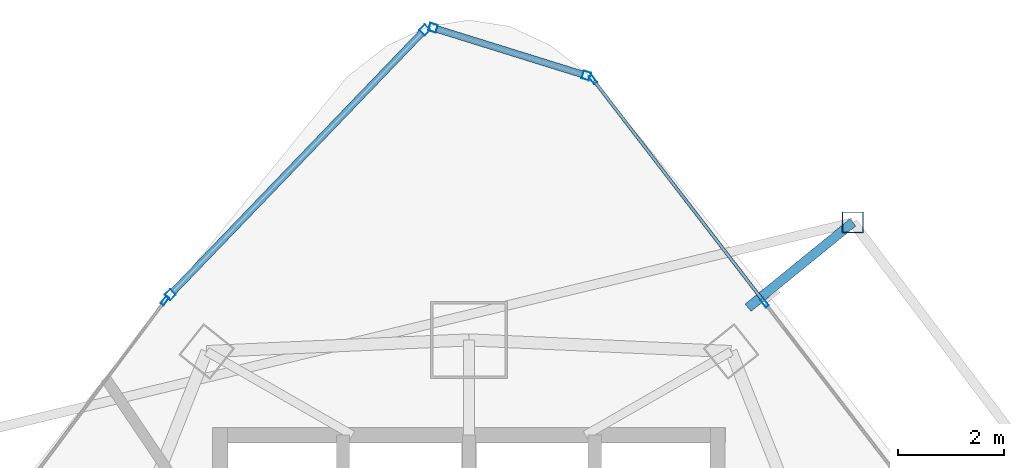
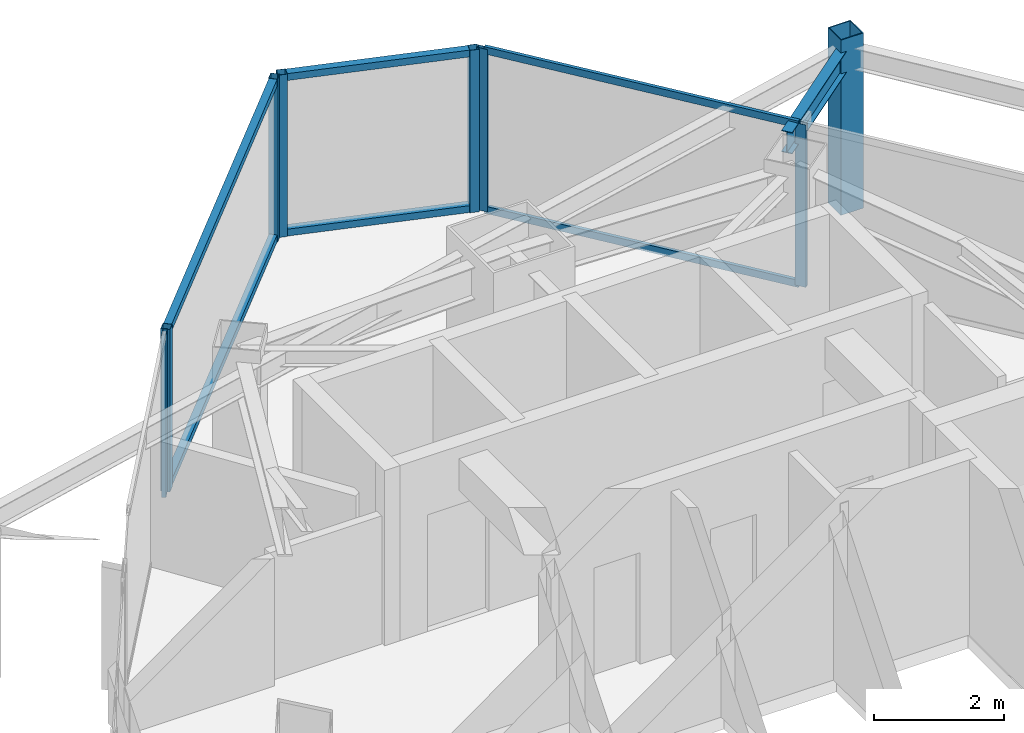
# One storey, part 23 of 30: 14 members, 1 beam, 4 elements without a shape of their own.
"""IFC4 building model written with IfcOpenShell, lengths in metres."""

import ifcopenshell
import ifcopenshell.guid

model = None  # the IFC model being written
_history = None  # IfcOwnerHistory: only IFC2X3 demands one
_inside = {}  # id of a spatial element -> (the spatial element, [elements in it])
_under = {}  # id of a project, library or spatial element -> (it, [spatial elements below it])
_declared = {}  # id of a project -> (the project, [libraries it declares])
_typed = {}  # id of a type object -> (the type object, [elements of that type])
_made_of = {}  # id of a material, layer set ... -> (it, [elements and type objects made of it])


def new_model(schema):
    """Start an empty IFC model of exactly this schema.

    Asked for "IFC4X3", IfcOpenShell would pick the latest addendum, in which some entities
    have other attributes; the version numbers below select the first issue.
    IFC2X3 requires an IfcOwnerHistory on every rooted entity: one is made here for all.
    """
    global model, _history
    if schema == "IFC4X3":
        model = ifcopenshell.file(schema_version=(4, 3, 0, 0))
    else:
        model = ifcopenshell.file(schema=schema)
    _inside.clear()
    _under.clear()
    _declared.clear()
    _typed.clear()
    _made_of.clear()
    _history = None
    if model.schema == "IFC2X3":
        org = make("IfcOrganization", Name="unknown")
        user = make(
            "IfcPersonAndOrganization",
            ThePerson=make("IfcPerson", FamilyName="unknown"),
            TheOrganization=org,
        )
        app = make(
            "IfcApplication",
            ApplicationDeveloper=org,
            Version="unknown",
            ApplicationFullName="unknown",
            ApplicationIdentifier="unknown",
        )
        _history = make(
            "IfcOwnerHistory",
            OwningUser=user,
            OwningApplication=app,
            ChangeAction="ADDED",
            CreationDate=0,
        )
    return model


def make(cls, **values):
    """One entity of the class cls with the attributes given. An attribute that is None is left unset."""
    return model.create_entity(
        cls, **{name: value for name, value in values.items() if value is not None}
    )


def rooted(cls, **values):
    """An entity with a GlobalId (a new one), such as an element, a storey or a relation."""
    return make(cls, GlobalId=ifcopenshell.guid.new(), OwnerHistory=_history, **values)


def si_unit(unit_type, name, prefix=None):
    """IfcSIUnit, for example si_unit("LENGTHUNIT", "METRE", prefix="MILLI")."""
    return make("IfcSIUnit", UnitType=unit_type, Prefix=prefix, Name=name)


def assignment(units):
    """IfcUnitAssignment: the units of a project."""
    return None if units is None else make("IfcUnitAssignment", Units=units)


def point(xyz):
    """IfcCartesianPoint."""
    return None if xyz is None else make("IfcCartesianPoint", Coordinates=xyz)


def direction(xyz):
    """IfcDirection."""
    return None if xyz is None else make("IfcDirection", DirectionRatios=xyz)


def frame(location, z_axis=None, x_axis=None):
    """IfcAxis2Placement3D, a coordinate frame: its origin and axes. An axis left out is left unset."""
    return make(
        "IfcAxis2Placement3D",
        Location=point(location),
        Axis=direction(z_axis),
        RefDirection=direction(x_axis),
    )


def frame_2d(location, x_axis=None):
    """IfcAxis2Placement2D, a coordinate frame in the plane: its origin and x axis."""
    return make(
        "IfcAxis2Placement2D", Location=point(location), RefDirection=direction(x_axis)
    )


def origin():
    """The frame at (0, 0, 0) with its axes left unset."""
    return frame((0.0, 0.0, 0.0))


def origin_2d():
    """The frame at (0, 0) in the plane with its x axis left unset."""
    return frame_2d((0.0, 0.0))


def place(relative_to, where):
    """IfcLocalPlacement: puts the frame where relative to a parent placement (None: the world)."""
    return make(
        "IfcLocalPlacement", PlacementRelTo=relative_to, RelativePlacement=where
    )


def context(
    kind, dimensions, precision=None, world=None, true_north=None, identifier=None
):
    """IfcGeometricRepresentationContext, for example the 3D "Model" context."""
    return make(
        "IfcGeometricRepresentationContext",
        ContextIdentifier=identifier,
        ContextType=kind,
        CoordinateSpaceDimension=dimensions,
        Precision=precision,
        WorldCoordinateSystem=world,
        TrueNorth=true_north,
    )


def subcontext(parent, identifier, kind, view, scale=None):
    """IfcGeometricRepresentationSubContext, for example "Body" below "Model"."""
    return make(
        "IfcGeometricRepresentationSubContext",
        ContextIdentifier=identifier,
        ContextType=kind,
        ParentContext=parent,
        TargetScale=scale,
        TargetView=view,
    )


def project(units=None, contexts=None):
    """IfcProject with its units and contexts."""
    return rooted(
        "IfcProject",
        Name="project",
        RepresentationContexts=contexts,
        UnitsInContext=assignment(units),
    )


def spatial(cls, under=None, at=None, **own):
    """A site, building, storey or space (cls), placed at a placement, below another one or the project."""
    s = rooted(cls, ObjectPlacement=at, **own)
    if under is not None:
        _under.setdefault(under.id(), (under, []))[1].append(s)
    return s


def profile(cls, at=None, kind="AREA", **sizes):
    """A parametric profile (cls). Its sizes go by their IFC names, for example OverallWidth=200.0."""
    return make(cls, ProfileType=kind, Position=at, **sizes)


def hollow_rectangle(**sizes):
    """IfcRectangleHollowProfileDef."""
    return profile("IfcRectangleHollowProfileDef", **sizes)


def i_section(**sizes):
    """IfcIShapeProfileDef."""
    return profile("IfcIShapeProfileDef", **sizes)


def extrude(swept, where, along, depth):
    """IfcExtrudedAreaSolid: the profile swept, set in the frame where, extruded along a direction by depth."""
    return make(
        "IfcExtrudedAreaSolid",
        SweptArea=swept,
        Position=where,
        ExtrudedDirection=direction(along),
        Depth=depth,
    )


def shape(context_of_items, identifier, shape_type, items):
    """IfcShapeRepresentation: the items that make up one representation, for example the "Body"."""
    return make(
        "IfcShapeRepresentation",
        ContextOfItems=context_of_items,
        RepresentationIdentifier=identifier,
        RepresentationType=shape_type,
        Items=items,
    )


def material(Name=None, Category=None):
    """IfcMaterial."""
    return make("IfcMaterial", Name=Name, Category=Category)


def layer(
    of_material, thickness, ventilated=None, Name=None, Category=None, Priority=None
):
    """IfcMaterialLayer: one layer of a wall or slab, of a material (None: an air gap)."""
    return make(
        "IfcMaterialLayer",
        Material=of_material,
        LayerThickness=thickness,
        IsVentilated=ventilated,
        Name=Name,
        Category=Category,
        Priority=Priority,
    )


def layer_set(layers, Name=None):
    """IfcMaterialLayerSet."""
    return make("IfcMaterialLayerSet", MaterialLayers=layers, LayerSetName=Name)


def material_profile(
    of_material, cross_section, Name=None, Category=None, Priority=None
):
    """IfcMaterialProfile: a cross section and its material."""
    return make(
        "IfcMaterialProfile",
        Name=Name,
        Material=of_material,
        Profile=cross_section,
        Priority=Priority,
        Category=Category,
    )


def profile_set(profiles, Name=None, composite=None):
    """IfcMaterialProfileSet."""
    return make(
        "IfcMaterialProfileSet",
        Name=Name,
        MaterialProfiles=profiles,
        CompositeProfile=composite,
    )


def made_of(thing, what):
    """Note that an element or type object is made of a material, layer set ...; save() writes the relation."""
    if what is not None:
        _made_of.setdefault(what.id(), (what, []))[1].append(thing)
    return thing


def type_object(cls, material=None, **own):
    """A type object (cls), such as IfcWallType, which elements share."""
    return made_of(rooted(cls, **own), material)


def element(
    cls,
    number,
    at=None,
    inside=None,
    cuts=None,
    type_object=None,
    material=None,
    context=None,
    identifier="Body",
    shape_type=None,
    held_by="IfcProductDefinitionShape",
    body=None,
    shapes=None,
    **own,
):
    """One element of the class cls, such as IfcWall. Its Tag is "e" and its number.

    at: its placement. inside: the storey or other place that contains it. cuts: it is an
    opening in that element (IfcRelVoidsElement). A single representation is given by context,
    identifier, shape_type and body (its items); several are given by shapes. held_by: the class
    of the entity that holds the representations. save() writes the other relations.
    """
    e = rooted(cls, Tag="e%d" % number, ObjectPlacement=at, **own)
    if body is not None:
        shapes = [shape(context, identifier, shape_type, body)]
    if shapes is not None:
        e.Representation = make(held_by, Representations=shapes)
    if inside is not None:
        _inside.setdefault(inside.id(), (inside, []))[1].append(e)
    if cuts is not None:
        rooted(
            "IfcRelVoidsElement", RelatingBuildingElement=cuts, RelatedOpeningElement=e
        )
    if type_object is not None:
        _typed.setdefault(type_object.id(), (type_object, []))[1].append(e)
    return made_of(e, material)


def aggregate(whole, parts):
    """IfcRelAggregates: a whole, such as a stair, and the parts it consists of."""
    return rooted("IfcRelAggregates", RelatingObject=whole, RelatedObjects=parts)


def save(model, path):
    """Write the relations noted so far, then the file.

    IfcRelAggregates (storeys below a building ...), IfcRelContainedInSpatialStructure (elements
    in a storey), IfcRelDefinesByType, IfcRelAssociatesMaterial and IfcRelDeclares: one each for
    every whole, place, type object, material and project.
    """
    for whole, parts in _under.values():
        aggregate(whole, parts)
    for where, things in _inside.values():
        rooted(
            "IfcRelContainedInSpatialStructure",
            RelatedElements=things,
            RelatingStructure=where,
        )
    for kind, things in _typed.values():
        rooted("IfcRelDefinesByType", RelatedObjects=things, RelatingType=kind)
    for what, things in _made_of.values():
        rooted("IfcRelAssociatesMaterial", RelatedObjects=things, RelatingMaterial=what)
    for by, libraries in _declared.values():
        rooted("IfcRelDeclares", RelatingContext=by, RelatedDefinitions=libraries)
    model.write(path)


model = new_model("IFC4")

# Units and contexts
model_context = context("Model", 3, precision=1e-05, world=origin(), true_north=direction((0.0, 1.0)))
body_context = subcontext(model_context, "Body", "Model", "MODEL_VIEW")
ifc_project = project(units=[si_unit("LENGTHUNIT", "METRE"), si_unit("AREAUNIT", "SQUARE_METRE"), si_unit("VOLUMEUNIT", "CUBIC_METRE"), si_unit("PLANEANGLEUNIT", "RADIAN"), si_unit("MASSUNIT", "GRAM", prefix="KILO")], contexts=[model_context])

# Site, building, storey
site_placement = place(None, origin())
site = spatial("IfcSite", under=ifc_project, at=site_placement, CompositionType="ELEMENT")
building_placement = place(site_placement, origin())
building = spatial("IfcBuilding", under=site, at=building_placement, Name="Orvanel Arch Residences", CompositionType="ELEMENT")
storey_placement = place(building_placement, frame((0.0, 0.0, 180.35009765625)))
storey = spatial("IfcBuildingStorey", under=building, at=storey_placement, Name="L51", CompositionType="ELEMENT", Elevation=180.35009765625)

# Curtain wall, members
ifc_material_1 = material(Name="Bronze-anodised aluminium AA6063-T6", Category="aluminium")
ifc_layer_1 = layer(ifc_material_1, 0.18994140625)
ifc_layer_set_1 = layer_set([ifc_layer_1], Name="Bronze-anodised aluminium AA6063-T6")
curtain_wall_type_1 = type_object("IfcCurtainWallType", Name="CW5-CRN-SYS", PredefinedType="NOTDEFINED", material=ifc_layer_set_1)
curtain_wall_1_placement = place(storey_placement, origin())
curtain_wall_1 = element("IfcCurtainWall", 1, at=curtain_wall_1_placement, inside=storey, type_object=curtain_wall_type_1, Name="L51 CW5-CRN-SYS Unitised Curtain Wall", PredefinedType="NOTDEFINED")
ifc_material_profile_1 = material_profile(ifc_material_1, hollow_rectangle(XDim=0.14990234375, YDim=0.14990234375, WallThickness=0.0048828125, at=origin_2d()), Name="ALU150x150x5")
ifc_profile_set_1 = profile_set([ifc_material_profile_1], Name="Bronze-anodised aluminium AA6063-T6")
member_type_1 = type_object("IfcMemberType", Name="MUL-150x150", PredefinedType="MULLION", material=ifc_profile_set_1)
member_1_placement = place(storey_placement, frame((35.21728515625, 46.38818359375, 0.0), z_axis=(0.0, 0.0, 1.0), x_axis=(-0.297219326942, -0.954809233142, 0.0)))
member_1 = element("IfcMember", 2, at=member_1_placement, type_object=member_type_1, Name="CW-S5 mullion 1", PredefinedType="MULLION", context=body_context, shape_type="SweptSolid", body=[
    extrude(hollow_rectangle(XDim=0.14990234375, YDim=0.14990234375, WallThickness=0.0048828125, at=origin_2d()), origin(), (0.0, 0.0, 1.0), 3.059814453125),
])
member_2_placement = place(storey_placement, frame((32.321533203125, 47.289794921875, 0.0), z_axis=(0.0, 0.0, 1.0), x_axis=(-0.297219326942, -0.954809233142, 0.0)))
member_2 = element("IfcMember", 3, at=member_2_placement, type_object=member_type_1, Name="CW-S5 mullion 2", PredefinedType="MULLION", context=body_context, shape_type="SweptSolid", body=[
    extrude(hollow_rectangle(XDim=0.14990234375, YDim=0.14990234375, WallThickness=0.0048828125, at=origin_2d()), origin(), (0.0, 0.0, 1.0), 3.059814453125),
])

curtain_wall_2_placement = place(storey_placement, origin())
curtain_wall_2 = element("IfcCurtainWall", 4, at=curtain_wall_2_placement, inside=storey, type_object=curtain_wall_type_1, Name="L51 CW5-CRN-SYS Unitised Curtain Wall", PredefinedType="NOTDEFINED")
member_3_placement = place(storey_placement, frame((32.1650390625, 47.25, 0.0), z_axis=(0.0, 0.0, 1.0), x_axis=(0.720873749875, -0.693066401393, 0.0)))
member_3 = element("IfcMember", 5, at=member_3_placement, type_object=member_type_1, Name="CW-S5 mullion 1", PredefinedType="MULLION", context=body_context, shape_type="SweptSolid", body=[
    extrude(hollow_rectangle(XDim=0.14990234375, YDim=0.14990234375, WallThickness=0.0048828125, at=origin_2d()), origin(), (0.0, 0.0, 1.0), 3.059814453125),
])
member_4_placement = place(storey_placement, frame((27.35888671875, 42.2509765625, 0.0), z_axis=(0.0, 0.0, 1.0), x_axis=(0.720873749875, -0.693066401393, 0.0)))
member_4 = element("IfcMember", 6, at=member_4_placement, type_object=member_type_1, Name="CW-S5 mullion 2", PredefinedType="MULLION", context=body_context, shape_type="SweptSolid", body=[
    extrude(hollow_rectangle(XDim=0.14990234375, YDim=0.14990234375, WallThickness=0.0048828125, at=origin_2d()), origin(), (0.0, 0.0, 1.0), 3.059814453125),
])

# Curtain wall, member
ifc_layer_2 = layer(ifc_material_1, 0.179931640625)
ifc_layer_set_2 = layer_set([ifc_layer_2], Name="Bronze-anodised aluminium AA6063-T6")
curtain_wall_type_2 = type_object("IfcCurtainWallType", Name="CW3-MID-SYS", PredefinedType="NOTDEFINED", material=ifc_layer_set_2)
curtain_wall_3_placement = place(storey_placement, origin())
curtain_wall_3 = element("IfcCurtainWall", 7, at=curtain_wall_3_placement, inside=storey, type_object=curtain_wall_type_2, Name="L51 CW3-MID-SYS Unitised Curtain Wall", PredefinedType="NOTDEFINED")
ifc_material_profile_2 = material_profile(ifc_material_1, hollow_rectangle(XDim=0.070068359375, YDim=0.179931640625, WallThickness=0.00439453125, at=origin_2d()), Name="ALU180x70x4.5")
ifc_profile_set_2 = profile_set([ifc_material_profile_2], Name="Bronze-anodised aluminium AA6063-T6")
member_type_2 = type_object("IfcMemberType", Name="MUL-180x70", PredefinedType="MULLION", material=ifc_profile_set_2)
member_5_placement = place(storey_placement, frame((27.260009765625, 42.138916015625, 0.0), z_axis=(0.0, 0.0, 1.0), x_axis=(0.801167631356, -0.598439994041, 0.0)))
member_5 = element("IfcMember", 8, at=member_5_placement, type_object=member_type_2, Name="CW-S3 mullion 1", PredefinedType="MULLION", context=body_context, shape_type="SweptSolid", body=[
    extrude(hollow_rectangle(XDim=0.070068359375, YDim=0.179931640625, WallThickness=0.00439453125, at=origin_2d()), origin(), (0.0, 0.0, 1.0), 3.059814453125),
])
aggregate(curtain_wall_3, [member_5])

# Curtain wall, members
curtain_wall_4_placement = place(storey_placement, origin())
curtain_wall_4 = element("IfcCurtainWall", 9, at=curtain_wall_4_placement, inside=storey, type_object=curtain_wall_type_2, Name="L51 CW3-MID-SYS Unitised Curtain Wall", PredefinedType="NOTDEFINED")
member_6_placement = place(storey_placement, frame((38.582275390625, 42.10107421875, 0.0), z_axis=(0.0, 0.0, 1.0), x_axis=(-0.792760568197, -0.609533166868, 0.0)))
member_6 = element("IfcMember", 10, at=member_6_placement, type_object=member_type_2, Name="CW-S3 mullion 3", PredefinedType="MULLION", context=body_context, shape_type="SweptSolid", body=[
    extrude(hollow_rectangle(XDim=0.070068359375, YDim=0.179931640625, WallThickness=0.00439453125, at=origin_2d()), origin(), (0.0, 0.0, 1.0), 3.059814453125),
])
member_7_placement = place(storey_placement, frame((35.34130859375, 46.316162109375, 0.0), z_axis=(0.0, 0.0, 1.0), x_axis=(-0.792760568197, -0.609533166868, 0.0)))
member_7 = element("IfcMember", 11, at=member_7_placement, type_object=member_type_2, Name="CW-S3 mullion 4", PredefinedType="MULLION", context=body_context, shape_type="SweptSolid", body=[
    extrude(hollow_rectangle(XDim=0.070068359375, YDim=0.179931640625, WallThickness=0.00439453125, at=origin_2d()), origin(), (0.0, 0.0, 1.0), 3.059814453125),
])

# Beam
ifc_material_2 = material(Name="Structural steel AS/NZS 3679.1 Grade 300 (300 MPa)", Category="steel")
ifc_material_profile_3 = material_profile(ifc_material_2, i_section(OverallWidth=0.177978515625, OverallDepth=0.406005859375, WebThickness=0.0078125, FlangeThickness=0.0126953125, at=origin_2d()), Name="410UB59.7")
ifc_profile_set_3 = profile_set([ifc_material_profile_3], Name="Structural steel AS/NZS 3679.1 Grade 300 (300 MPa)")
beam_type = type_object("IfcBeamType", Name="OB-410UB-EXT", PredefinedType="SPANDREL", material=ifc_profile_set_3)
beam_placement = place(storey_placement, frame((38.27099609375, 42.006103515625, 2.85693359375), z_axis=(0.775779999629, 0.63100348032, 0.0), x_axis=(-0.63100348032, 0.775779999629, 0.0)))
element("IfcBeam", 12, at=beam_placement, inside=storey, type_object=beam_type, Name="L51 Outer Frame Radial Tie Beam 12", PredefinedType="SPANDREL", context=body_context, shape_type="SweptSolid", body=[
    extrude(i_section(OverallWidth=0.177978515625, OverallDepth=0.406005859375, WebThickness=0.0078125, FlangeThickness=0.0126953125, at=origin_2d()), origin(), (0.0, 0.0, 1.0), 2.5498046875),
])

# Member
ifc_material_3 = material(Name="Structural steel AS/NZS 1163 C450L0 (Grade 450)", Category="steel")
ifc_material_profile_4 = material_profile(ifc_material_3, hollow_rectangle(XDim=0.39990234375, YDim=0.39990234375, WallThickness=0.01611328125, at=origin_2d()), Name="SHS400x400x16")
ifc_profile_set_4 = profile_set([ifc_material_profile_4], Name="Structural steel AS/NZS 1163 C450L0 (Grade 450)")
member_type_3 = type_object("IfcMemberType", Name="ST-400SHS-EXT", PredefinedType="STRUT", material=ifc_profile_set_4)
member_8_placement = place(storey_placement, frame((40.2490234375, 43.614990234375, 0.0), z_axis=(0.0, 0.0, 1.0), x_axis=(1.0, 0.0, 0.0)))
element("IfcMember", 13, at=member_8_placement, inside=storey, type_object=member_type_3, Name="L51 Outer Perimeter Frame Post 12", PredefinedType="STRUT", context=body_context, shape_type="SweptSolid", body=[
    extrude(hollow_rectangle(XDim=0.39990234375, YDim=0.39990234375, WallThickness=0.01611328125, at=origin_2d()), origin(), (0.0, 0.0, 1.0), 3.2998046875),
])

ifc_material_profile_5 = material_profile(ifc_material_1, hollow_rectangle(XDim=0.1298828125, YDim=0.1298828125, WallThickness=0.00439453125, at=origin_2d()), Name="ALU130x130x4.5")
ifc_profile_set_5 = profile_set([ifc_material_profile_5], Name="Bronze-anodised aluminium AA6063-T6")
member_type_4 = type_object("IfcMemberType", Name="TRN-130x130", PredefinedType="USERDEFINED", material=ifc_profile_set_5)
member_9_placement = place(storey_placement, frame((35.145751953125, 46.41064453125, 0.06494140625), z_axis=(-0.954819933028, 0.297184951658, 0.0), x_axis=(-0.297184951658, -0.954819933028, 0.0)))
member_9 = element("IfcMember", 14, at=member_9_placement, type_object=member_type_4, Name="CW-S5 transom 1.1", ObjectType="TRANSOM", PredefinedType="USERDEFINED", context=body_context, shape_type="SweptSolid", body=[
    extrude(hollow_rectangle(XDim=0.1298828125, YDim=0.1298828125, WallThickness=0.00439453125, at=origin_2d()), origin(), (0.0, 0.0, 1.0), 2.882568359375),
])

member_10_placement = place(storey_placement, frame((35.145751953125, 46.41064453125, 2.994873046875), z_axis=(-0.954819933028, 0.297184951658, 0.0), x_axis=(-0.297184951658, -0.954819933028, 0.0)))
member_10 = element("IfcMember", 15, at=member_10_placement, type_object=member_type_4, Name="CW-S5 transom 1.2", ObjectType="TRANSOM", PredefinedType="USERDEFINED", context=body_context, shape_type="SweptSolid", body=[
    extrude(hollow_rectangle(XDim=0.1298828125, YDim=0.1298828125, WallThickness=0.00439453125, at=origin_2d()), origin(), (0.0, 0.0, 1.0), 2.882568359375),
])

aggregate(curtain_wall_1, [member_1, member_2, member_9, member_10])

member_11_placement = place(storey_placement, frame((32.113037109375, 47.19580078125, 0.06494140625), z_axis=(-0.69307994946, -0.720860724174, 0.0), x_axis=(0.720860724174, -0.69307994946, 0.0)))
member_11 = element("IfcMember", 16, at=member_11_placement, type_object=member_type_4, Name="CW-S5 transom 1.1", ObjectType="TRANSOM", PredefinedType="USERDEFINED", context=body_context, shape_type="SweptSolid", body=[
    extrude(hollow_rectangle(XDim=0.1298828125, YDim=0.1298828125, WallThickness=0.00439453125, at=origin_2d()), origin(), (0.0, 0.0, 1.0), 6.784423828125),
])

member_12_placement = place(storey_placement, frame((32.113037109375, 47.19580078125, 2.994873046875), z_axis=(-0.69307994946, -0.720860724174, 0.0), x_axis=(0.720860724174, -0.69307994946, 0.0)))
member_12 = element("IfcMember", 17, at=member_12_placement, type_object=member_type_4, Name="CW-S5 transom 1.2", ObjectType="TRANSOM", PredefinedType="USERDEFINED", context=body_context, shape_type="SweptSolid", body=[
    extrude(hollow_rectangle(XDim=0.1298828125, YDim=0.1298828125, WallThickness=0.00439453125, at=origin_2d()), origin(), (0.0, 0.0, 1.0), 6.784423828125),
])

aggregate(curtain_wall_2, [member_3, member_4, member_11, member_12])

ifc_material_profile_6 = material_profile(ifc_material_1, hollow_rectangle(XDim=0.06005859375, YDim=0.135009765625, WallThickness=0.00390625, at=origin_2d()), Name="ALU135x60x4")
ifc_profile_set_6 = profile_set([ifc_material_profile_6], Name="Bronze-anodised aluminium AA6063-T6")
member_type_5 = type_object("IfcMemberType", Name="TRN-135x60", PredefinedType="USERDEFINED", material=ifc_profile_set_6)
member_13_placement = place(storey_placement, frame((38.56103515625, 42.128662109375, 0.02978515625), z_axis=(-0.609537614099, 0.792757148816, 0.0), x_axis=(-0.792757148816, -0.609537614099, 0.0)))
member_13 = element("IfcMember", 18, at=member_13_placement, type_object=member_type_5, Name="CW-S3 transom 3.1", ObjectType="TRANSOM", PredefinedType="USERDEFINED", context=body_context, shape_type="SweptSolid", body=[
    extrude(hollow_rectangle(XDim=0.06005859375, YDim=0.135009765625, WallThickness=0.00390625, at=origin_2d()), origin(), (0.0, 0.0, 1.0), 5.247314453125),
])

member_14_placement = place(storey_placement, frame((38.56103515625, 42.128662109375, 3.02978515625), z_axis=(-0.609537614099, 0.792757148816, 0.0), x_axis=(-0.792757148816, -0.609537614099, 0.0)))
member_14 = element("IfcMember", 19, at=member_14_placement, type_object=member_type_5, Name="CW-S3 transom 3.2", ObjectType="TRANSOM", PredefinedType="USERDEFINED", context=body_context, shape_type="SweptSolid", body=[
    extrude(hollow_rectangle(XDim=0.06005859375, YDim=0.135009765625, WallThickness=0.00390625, at=origin_2d()), origin(), (0.0, 0.0, 1.0), 5.247314453125),
])

aggregate(curtain_wall_4, [member_6, member_7, member_13, member_14])

save(model, "model.ifc")
